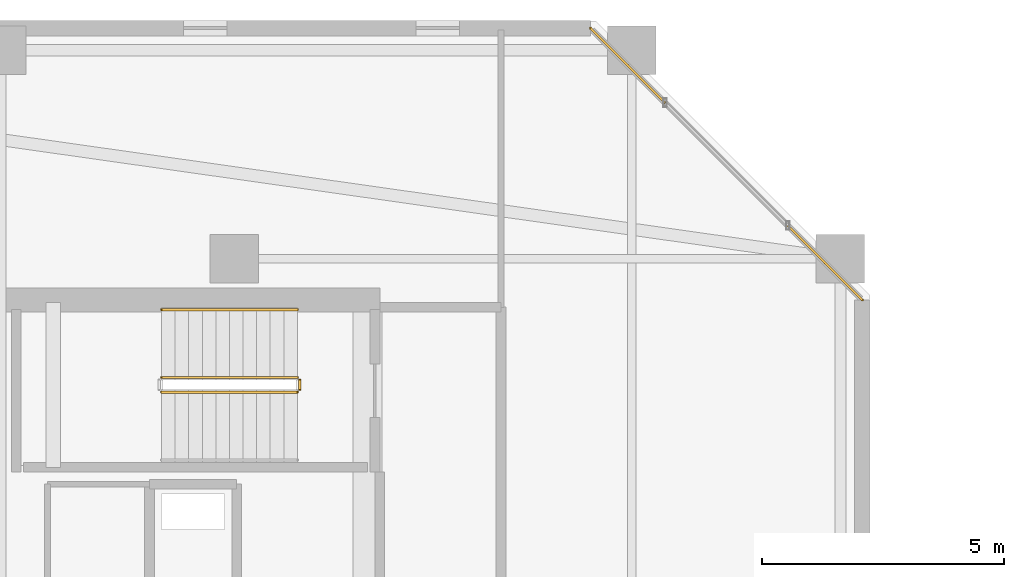
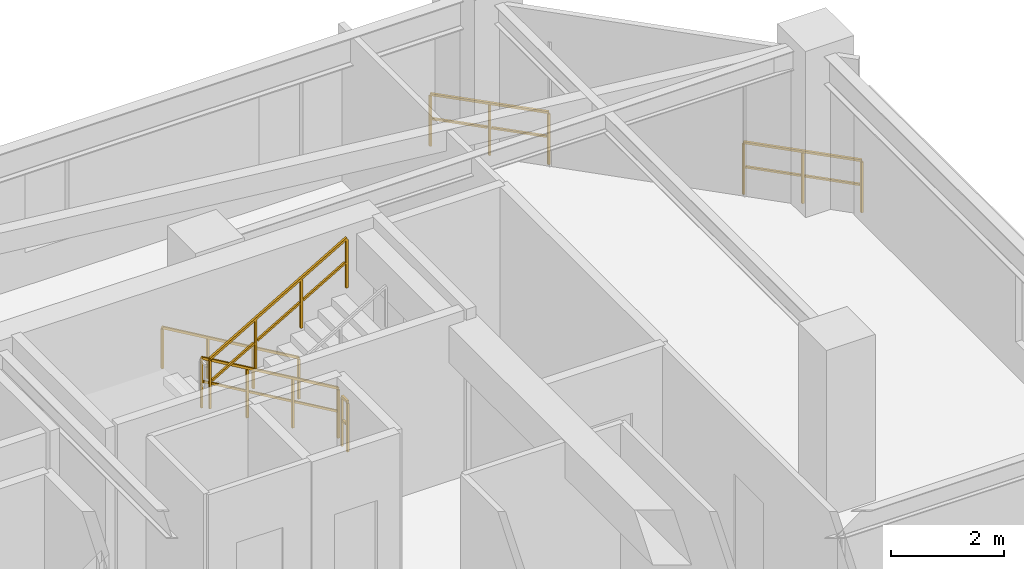
# One storey, part 29 of 31: 6 railings.
"""IFC4 building model written with IfcOpenShell, lengths in metres."""

from ifc_helpers import new_model, si_unit, direction, frame, origin, origin_2d, place, context, subcontext, project, spatial, rectangle, extrude, material, type_object, element, save


model = new_model("IFC4")

# Units and contexts
model_context = context("Model", 3, precision=1e-05, world=origin(), true_north=direction((0.0, 1.0)))
body_context = subcontext(model_context, "Body", "Model", "MODEL_VIEW")
ifc_project = project(units=[si_unit("LENGTHUNIT", "METRE"), si_unit("AREAUNIT", "SQUARE_METRE"), si_unit("VOLUMEUNIT", "CUBIC_METRE"), si_unit("PLANEANGLEUNIT", "RADIAN"), si_unit("MASSUNIT", "GRAM", prefix="KILO")], contexts=[model_context])

# Site, building, storey
site_placement = place(None, origin())
site = spatial("IfcSite", under=ifc_project, at=site_placement, CompositionType="ELEMENT")
building_placement = place(site_placement, origin())
building = spatial("IfcBuilding", under=site, at=building_placement, Name="Thornwick Lancets Civic Towers", CompositionType="ELEMENT")
storey_placement = place(building_placement, frame((0.0, 0.0, 236.699951171875)))
storey = spatial("IfcBuildingStorey", under=building, at=storey_placement, Name="L63", CompositionType="ELEMENT", Elevation=236.699951171875)

# Railings
ifc_material_1 = material(Name="Brushed stainless steel S355", Category="steel")
railing_type_1 = type_object("IfcRailingType", Name="RAIL_HANDRAIL", PredefinedType="HANDRAIL", material=ifc_material_1)
railing_1_placement = place(storey_placement, frame((31.60009765625, 38.949951171875, 0.16357421875)))
element("IfcRailing", 1, at=railing_1_placement, inside=storey, type_object=railing_type_1, Name="L63 ST-A2 stair handrail 1", PredefinedType="HANDRAIL", context=body_context, shape_type="SweptSolid", body=[
    extrude(rectangle(XDim=0.048095703125, YDim=0.048095703125, at=origin_2d()), frame((0.0, 0.0, 0.8857421875), z_axis=(-0.863360870873, 0.0, 0.504586966384), x_axis=(0.0, -1.0, 0.0)), (0.0, 0.0, 1.0), 3.2431640625),
    extrude(rectangle(XDim=0.0419921875, YDim=0.0419921875, at=origin_2d()), origin(), (0.0, 0.0, 1.0), 0.855712890625),
    extrude(rectangle(XDim=0.0419921875, YDim=0.0419921875, at=origin_2d()), frame((-0.933349609375, 0.0, 0.54541015625)), (0.0, 0.0, 1.0), 0.855712890625),
    extrude(rectangle(XDim=0.0419921875, YDim=0.0419921875, at=origin_2d()), frame((-1.86669921875, 0.0, 1.091064453125)), (0.0, 0.0, 1.0), 0.855712890625),
    extrude(rectangle(XDim=0.0419921875, YDim=0.0419921875, at=origin_2d()), frame((-2.800048828125, 0.0, 1.636474609375)), (0.0, 0.0, 1.0), 0.855712890625),
])
ifc_material_2 = material(Name="Steel S355JR", Category="steel")
railing_type_2 = type_object("IfcRailingType", Name="RAIL_STAIR_GUARD", PredefinedType="GUARDRAIL", material=ifc_material_2)
railing_2_placement = place(storey_placement, frame((31.60009765625, 37.550048828125, 0.16357421875)))
element("IfcRailing", 2, at=railing_2_placement, inside=storey, type_object=railing_type_2, Name="L63 ST-A2 stair guard 1", PredefinedType="GUARDRAIL", context=body_context, shape_type="SweptSolid", body=[
    extrude(rectangle(XDim=0.048095703125, YDim=0.048095703125, at=origin_2d()), frame((0.0, 0.0, 1.076171875), z_axis=(-0.863360870873, 0.0, 0.504586966384), x_axis=(0.0, -1.0, 0.0)), (0.0, 0.0, 1.0), 3.2431640625),
    extrude(rectangle(XDim=0.0419921875, YDim=0.0419921875, at=origin_2d()), frame((-0.032470703125, 0.0, 0.591064453125), z_axis=(-0.863360870873, 0.0, 0.504586966384), x_axis=(0.0, -1.0, 0.0)), (0.0, 0.0, 1.0), 1.006103515625),
    extrude(rectangle(XDim=0.0419921875, YDim=0.0419921875, at=origin_2d()), frame((-0.9658203125, 0.0, 1.136474609375), z_axis=(-0.863360870873, 0.0, 0.504586966384), x_axis=(0.0, -1.0, 0.0)), (0.0, 0.0, 1.0), 1.006103515625),
    extrude(rectangle(XDim=0.0419921875, YDim=0.0419921875, at=origin_2d()), frame((-1.899169921875, 0.0, 1.681884765625), z_axis=(-0.863360870873, 0.0, 0.504586966384), x_axis=(0.0, -1.0, 0.0)), (0.0, 0.0, 1.0), 1.006103515625),
    extrude(rectangle(XDim=0.0419921875, YDim=0.0419921875, at=origin_2d()), origin(), (0.0, 0.0, 1.0), 1.0458984375),
    extrude(rectangle(XDim=0.0419921875, YDim=0.0419921875, at=origin_2d()), frame((-0.933349609375, 0.0, 0.54541015625)), (0.0, 0.0, 1.0), 1.0458984375),
    extrude(rectangle(XDim=0.0419921875, YDim=0.0419921875, at=origin_2d()), frame((-1.86669921875, 0.0, 1.091064453125)), (0.0, 0.0, 1.0), 1.0458984375),
    extrude(rectangle(XDim=0.0419921875, YDim=0.0419921875, at=origin_2d()), frame((-2.800048828125, 0.0, 1.636474609375)), (0.0, 0.0, 1.0), 1.0458984375),
])
railing_3_placement = place(storey_placement, frame((28.800048828125, 37.25, 1.963623046875)))
element("IfcRailing", 3, at=railing_3_placement, inside=storey, type_object=railing_type_2, Name="L63 ST-A2 stair guard 3", PredefinedType="GUARDRAIL", context=body_context, shape_type="SweptSolid", body=[
    extrude(rectangle(XDim=0.048095703125, YDim=0.048095703125, at=origin_2d()), frame((0.0, 0.0, 1.076171875), z_axis=(0.863360870873, 0.0, 0.504586966384), x_axis=(0.0, 1.0, 0.0)), (0.0, 0.0, 1.0), 3.2431640625),
    extrude(rectangle(XDim=0.0419921875, YDim=0.0419921875, at=origin_2d()), frame((0.032470703125, 0.0, 0.591064453125), z_axis=(0.863360870873, 0.0, 0.504586966384), x_axis=(0.0, 1.0, 0.0)), (0.0, 0.0, 1.0), 1.006103515625),
    extrude(rectangle(XDim=0.0419921875, YDim=0.0419921875, at=origin_2d()), frame((0.9658203125, 0.0, 1.136474609375), z_axis=(0.863360870873, 0.0, 0.504586966384), x_axis=(0.0, 1.0, 0.0)), (0.0, 0.0, 1.0), 1.006103515625),
    extrude(rectangle(XDim=0.0419921875, YDim=0.0419921875, at=origin_2d()), frame((1.899169921875, 0.0, 1.681884765625), z_axis=(0.863360870873, 0.0, 0.504586966384), x_axis=(0.0, 1.0, 0.0)), (0.0, 0.0, 1.0), 1.006103515625),
    extrude(rectangle(XDim=0.0419921875, YDim=0.0419921875, at=origin_2d()), origin(), (0.0, 0.0, 1.0), 1.0458984375),
    extrude(rectangle(XDim=0.0419921875, YDim=0.0419921875, at=origin_2d()), frame((0.933349609375, 0.0, 0.54541015625)), (0.0, 0.0, 1.0), 1.0458984375),
    extrude(rectangle(XDim=0.0419921875, YDim=0.0419921875, at=origin_2d()), frame((1.86669921875, 0.0, 1.091064453125)), (0.0, 0.0, 1.0), 1.0458984375),
    extrude(rectangle(XDim=0.0419921875, YDim=0.0419921875, at=origin_2d()), frame((2.800048828125, 0.0, 1.636474609375)), (0.0, 0.0, 1.0), 1.0458984375),
])
railing_4_placement = place(storey_placement, frame((31.64990234375, 37.5, 0.0)))
element("IfcRailing", 4, at=railing_4_placement, inside=storey, type_object=railing_type_2, Name="L63 ST-A2 stair guard 4", PredefinedType="GUARDRAIL", context=body_context, shape_type="SweptSolid", body=[
    extrude(rectangle(XDim=0.048095703125, YDim=0.048095703125, at=origin_2d()), frame((0.0, 0.0, 1.076171875), z_axis=(0.0, -1.0, 0.0), x_axis=(1.0, 0.0, 0.0)), (0.0, 0.0, 1.0), 0.199951171875),
    extrude(rectangle(XDim=0.0419921875, YDim=0.0419921875, at=origin_2d()), frame((0.0, -0.03759765625, 0.572021484375), z_axis=(0.0, -1.0, 0.0), x_axis=(1.0, 0.0, 0.0)), (0.0, 0.0, 1.0), 0.125),
    extrude(rectangle(XDim=0.0419921875, YDim=0.0419921875, at=origin_2d()), origin(), (0.0, 0.0, 1.0), 1.0458984375),
    extrude(rectangle(XDim=0.0419921875, YDim=0.0419921875, at=origin_2d()), frame((0.0, -0.199951171875, 0.0)), (0.0, 0.0, 1.0), 1.0458984375),
])
ifc_material_3 = material(Name="Terracotta-capped laminated glass balustrade S355", Category="masonry")
railing_type_3 = type_object("IfcRailingType", Name="RAIL_TERR_GUARD", PredefinedType="GUARDRAIL", material=ifc_material_3)
railing_5_placement = place(storey_placement, frame((43.254638671875, 39.14794921875, 0.0)))
element("IfcRailing", 5, at=railing_5_placement, inside=storey, type_object=railing_type_3, Name="L63 Tower A Chamfer Spandrel Guard E3-1", PredefinedType="GUARDRAIL", context=body_context, shape_type="SweptSolid", body=[
    extrude(rectangle(XDim=0.048095703125, YDim=0.048095703125, at=origin_2d()), frame((0.0, 0.0, 1.1259765625), z_axis=(-0.707162929738, 0.707050628177, 0.0), x_axis=(-0.707050628177, -0.707162929738, 0.0)), (0.0, 0.0, 1.0), 2.174072265625),
    extrude(rectangle(XDim=0.0419921875, YDim=0.0419921875, at=origin_2d()), frame((-0.026611328125, 0.026611328125, 0.597900390625), z_axis=(-0.707162929738, 0.707050628177, 0.0), x_axis=(-0.707050628177, -0.707162929738, 0.0)), (0.0, 0.0, 1.0), 1.011962890625),
    extrude(rectangle(XDim=0.0419921875, YDim=0.0419921875, at=origin_2d()), frame((-0.795166015625, 0.795166015625, 0.597900390625), z_axis=(-0.707162929738, 0.707050628177, 0.0), x_axis=(-0.707050628177, -0.707162929738, 0.0)), (0.0, 0.0, 1.0), 1.011962890625),
    extrude(rectangle(XDim=0.0419921875, YDim=0.0419921875, at=origin_2d()), origin(), (0.0, 0.0, 1.0), 1.095703125),
    extrude(rectangle(XDim=0.0419921875, YDim=0.0419921875, at=origin_2d()), frame((-0.7685546875, 0.7685546875, 0.0)), (0.0, 0.0, 1.0), 1.095703125),
    extrude(rectangle(XDim=0.0419921875, YDim=0.0419921875, at=origin_2d()), frame((-1.537353515625, 1.537109375, 0.0)), (0.0, 0.0, 1.0), 1.095703125),
])
railing_6_placement = place(storey_placement, frame((39.18505859375, 43.21728515625, 0.0)))
element("IfcRailing", 6, at=railing_6_placement, inside=storey, type_object=railing_type_3, Name="L63 Tower A Chamfer Spandrel Guard E3-2", PredefinedType="GUARDRAIL", context=body_context, shape_type="SweptSolid", body=[
    extrude(rectangle(XDim=0.048095703125, YDim=0.048095703125, at=origin_2d()), frame((0.0, 0.0, 1.1259765625), z_axis=(-0.707050628177, 0.707162929738, 0.0), x_axis=(-0.707162929738, -0.707050628177, 0.0)), (0.0, 0.0, 1.0), 2.174072265625),
    extrude(rectangle(XDim=0.0419921875, YDim=0.0419921875, at=origin_2d()), frame((-0.026611328125, 0.026611328125, 0.597900390625), z_axis=(-0.707050628177, 0.707162929738, 0.0), x_axis=(-0.707162929738, -0.707050628177, 0.0)), (0.0, 0.0, 1.0), 1.011962890625),
    extrude(rectangle(XDim=0.0419921875, YDim=0.0419921875, at=origin_2d()), frame((-0.795166015625, 0.795166015625, 0.597900390625), z_axis=(-0.707050628177, 0.707162929738, 0.0), x_axis=(-0.707162929738, -0.707050628177, 0.0)), (0.0, 0.0, 1.0), 1.011962890625),
    extrude(rectangle(XDim=0.0419921875, YDim=0.0419921875, at=origin_2d()), origin(), (0.0, 0.0, 1.0), 1.095703125),
    extrude(rectangle(XDim=0.0419921875, YDim=0.0419921875, at=origin_2d()), frame((-0.7685546875, 0.7685546875, 0.0)), (0.0, 0.0, 1.0), 1.095703125),
    extrude(rectangle(XDim=0.0419921875, YDim=0.0419921875, at=origin_2d()), frame((-1.537109375, 1.537353515625, 0.0)), (0.0, 0.0, 1.0), 1.095703125),
])

save(model, "model.ifc")
